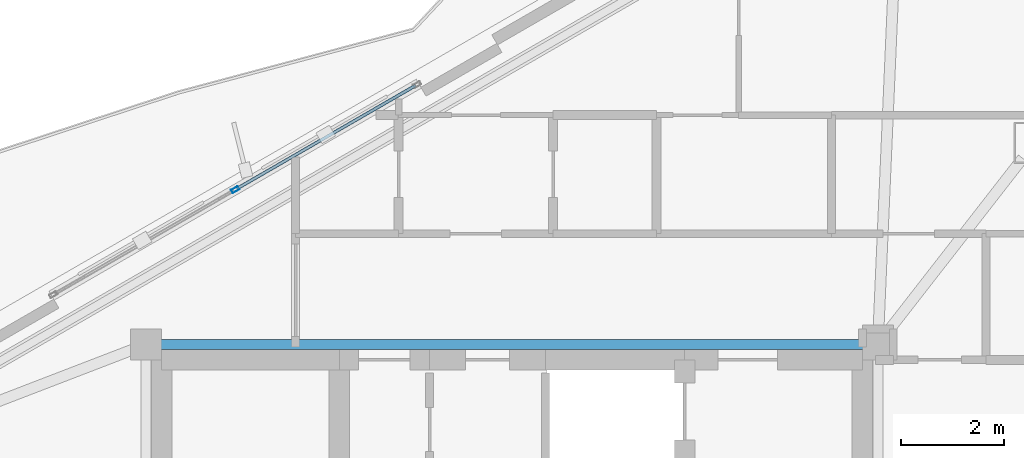
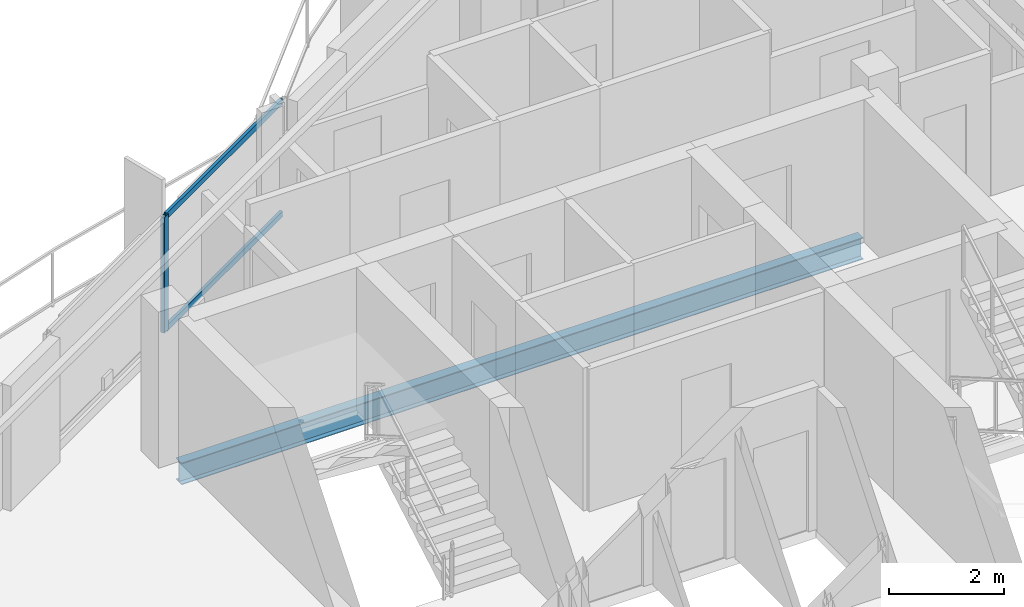
# One storey, part 10 of 18: 3 members, 1 beam, 1 element without a shape of its own.
"""IFC4 building model written with IfcOpenShell, lengths in metres."""

import ifcopenshell
import ifcopenshell.guid

model = None  # the IFC model being written
_history = None  # IfcOwnerHistory: only IFC2X3 demands one
_inside = {}  # id of a spatial element -> (the spatial element, [elements in it])
_under = {}  # id of a project, library or spatial element -> (it, [spatial elements below it])
_declared = {}  # id of a project -> (the project, [libraries it declares])
_typed = {}  # id of a type object -> (the type object, [elements of that type])
_made_of = {}  # id of a material, layer set ... -> (it, [elements and type objects made of it])


def new_model(schema):
    """Start an empty IFC model of exactly this schema.

    Asked for "IFC4X3", IfcOpenShell would pick the latest addendum, in which some entities
    have other attributes; the version numbers below select the first issue.
    IFC2X3 requires an IfcOwnerHistory on every rooted entity: one is made here for all.
    """
    global model, _history
    if schema == "IFC4X3":
        model = ifcopenshell.file(schema_version=(4, 3, 0, 0))
    else:
        model = ifcopenshell.file(schema=schema)
    _inside.clear()
    _under.clear()
    _declared.clear()
    _typed.clear()
    _made_of.clear()
    _history = None
    if model.schema == "IFC2X3":
        org = make("IfcOrganization", Name="unknown")
        user = make(
            "IfcPersonAndOrganization",
            ThePerson=make("IfcPerson", FamilyName="unknown"),
            TheOrganization=org,
        )
        app = make(
            "IfcApplication",
            ApplicationDeveloper=org,
            Version="unknown",
            ApplicationFullName="unknown",
            ApplicationIdentifier="unknown",
        )
        _history = make(
            "IfcOwnerHistory",
            OwningUser=user,
            OwningApplication=app,
            ChangeAction="ADDED",
            CreationDate=0,
        )
    return model


def make(cls, **values):
    """One entity of the class cls with the attributes given. An attribute that is None is left unset."""
    return model.create_entity(
        cls, **{name: value for name, value in values.items() if value is not None}
    )


def rooted(cls, **values):
    """An entity with a GlobalId (a new one), such as an element, a storey or a relation."""
    return make(cls, GlobalId=ifcopenshell.guid.new(), OwnerHistory=_history, **values)


def si_unit(unit_type, name, prefix=None):
    """IfcSIUnit, for example si_unit("LENGTHUNIT", "METRE", prefix="MILLI")."""
    return make("IfcSIUnit", UnitType=unit_type, Prefix=prefix, Name=name)


def assignment(units):
    """IfcUnitAssignment: the units of a project."""
    return None if units is None else make("IfcUnitAssignment", Units=units)


def point(xyz):
    """IfcCartesianPoint."""
    return None if xyz is None else make("IfcCartesianPoint", Coordinates=xyz)


def direction(xyz):
    """IfcDirection."""
    return None if xyz is None else make("IfcDirection", DirectionRatios=xyz)


def frame(location, z_axis=None, x_axis=None):
    """IfcAxis2Placement3D, a coordinate frame: its origin and axes. An axis left out is left unset."""
    return make(
        "IfcAxis2Placement3D",
        Location=point(location),
        Axis=direction(z_axis),
        RefDirection=direction(x_axis),
    )


def frame_2d(location, x_axis=None):
    """IfcAxis2Placement2D, a coordinate frame in the plane: its origin and x axis."""
    return make(
        "IfcAxis2Placement2D", Location=point(location), RefDirection=direction(x_axis)
    )


def origin():
    """The frame at (0, 0, 0) with its axes left unset."""
    return frame((0.0, 0.0, 0.0))


def origin_2d():
    """The frame at (0, 0) in the plane with its x axis left unset."""
    return frame_2d((0.0, 0.0))


def place(relative_to, where):
    """IfcLocalPlacement: puts the frame where relative to a parent placement (None: the world)."""
    return make(
        "IfcLocalPlacement", PlacementRelTo=relative_to, RelativePlacement=where
    )


def context(
    kind, dimensions, precision=None, world=None, true_north=None, identifier=None
):
    """IfcGeometricRepresentationContext, for example the 3D "Model" context."""
    return make(
        "IfcGeometricRepresentationContext",
        ContextIdentifier=identifier,
        ContextType=kind,
        CoordinateSpaceDimension=dimensions,
        Precision=precision,
        WorldCoordinateSystem=world,
        TrueNorth=true_north,
    )


def subcontext(parent, identifier, kind, view, scale=None):
    """IfcGeometricRepresentationSubContext, for example "Body" below "Model"."""
    return make(
        "IfcGeometricRepresentationSubContext",
        ContextIdentifier=identifier,
        ContextType=kind,
        ParentContext=parent,
        TargetScale=scale,
        TargetView=view,
    )


def project(units=None, contexts=None):
    """IfcProject with its units and contexts."""
    return rooted(
        "IfcProject",
        Name="project",
        RepresentationContexts=contexts,
        UnitsInContext=assignment(units),
    )


def spatial(cls, under=None, at=None, **own):
    """A site, building, storey or space (cls), placed at a placement, below another one or the project."""
    s = rooted(cls, ObjectPlacement=at, **own)
    if under is not None:
        _under.setdefault(under.id(), (under, []))[1].append(s)
    return s


def profile(cls, at=None, kind="AREA", **sizes):
    """A parametric profile (cls). Its sizes go by their IFC names, for example OverallWidth=200.0."""
    return make(cls, ProfileType=kind, Position=at, **sizes)


def hollow_rectangle(**sizes):
    """IfcRectangleHollowProfileDef."""
    return profile("IfcRectangleHollowProfileDef", **sizes)


def i_section(**sizes):
    """IfcIShapeProfileDef."""
    return profile("IfcIShapeProfileDef", **sizes)


def extrude(swept, where, along, depth):
    """IfcExtrudedAreaSolid: the profile swept, set in the frame where, extruded along a direction by depth."""
    return make(
        "IfcExtrudedAreaSolid",
        SweptArea=swept,
        Position=where,
        ExtrudedDirection=direction(along),
        Depth=depth,
    )


def shape(context_of_items, identifier, shape_type, items):
    """IfcShapeRepresentation: the items that make up one representation, for example the "Body"."""
    return make(
        "IfcShapeRepresentation",
        ContextOfItems=context_of_items,
        RepresentationIdentifier=identifier,
        RepresentationType=shape_type,
        Items=items,
    )


def material(Name=None, Category=None):
    """IfcMaterial."""
    return make("IfcMaterial", Name=Name, Category=Category)


def layer(
    of_material, thickness, ventilated=None, Name=None, Category=None, Priority=None
):
    """IfcMaterialLayer: one layer of a wall or slab, of a material (None: an air gap)."""
    return make(
        "IfcMaterialLayer",
        Material=of_material,
        LayerThickness=thickness,
        IsVentilated=ventilated,
        Name=Name,
        Category=Category,
        Priority=Priority,
    )


def layer_set(layers, Name=None):
    """IfcMaterialLayerSet."""
    return make("IfcMaterialLayerSet", MaterialLayers=layers, LayerSetName=Name)


def material_profile(
    of_material, cross_section, Name=None, Category=None, Priority=None
):
    """IfcMaterialProfile: a cross section and its material."""
    return make(
        "IfcMaterialProfile",
        Name=Name,
        Material=of_material,
        Profile=cross_section,
        Priority=Priority,
        Category=Category,
    )


def profile_set(profiles, Name=None, composite=None):
    """IfcMaterialProfileSet."""
    return make(
        "IfcMaterialProfileSet",
        Name=Name,
        MaterialProfiles=profiles,
        CompositeProfile=composite,
    )


def made_of(thing, what):
    """Note that an element or type object is made of a material, layer set ...; save() writes the relation."""
    if what is not None:
        _made_of.setdefault(what.id(), (what, []))[1].append(thing)
    return thing


def type_object(cls, material=None, **own):
    """A type object (cls), such as IfcWallType, which elements share."""
    return made_of(rooted(cls, **own), material)


def element(
    cls,
    number,
    at=None,
    inside=None,
    cuts=None,
    type_object=None,
    material=None,
    context=None,
    identifier="Body",
    shape_type=None,
    held_by="IfcProductDefinitionShape",
    body=None,
    shapes=None,
    **own,
):
    """One element of the class cls, such as IfcWall. Its Tag is "e" and its number.

    at: its placement. inside: the storey or other place that contains it. cuts: it is an
    opening in that element (IfcRelVoidsElement). A single representation is given by context,
    identifier, shape_type and body (its items); several are given by shapes. held_by: the class
    of the entity that holds the representations. save() writes the other relations.
    """
    e = rooted(cls, Tag="e%d" % number, ObjectPlacement=at, **own)
    if body is not None:
        shapes = [shape(context, identifier, shape_type, body)]
    if shapes is not None:
        e.Representation = make(held_by, Representations=shapes)
    if inside is not None:
        _inside.setdefault(inside.id(), (inside, []))[1].append(e)
    if cuts is not None:
        rooted(
            "IfcRelVoidsElement", RelatingBuildingElement=cuts, RelatedOpeningElement=e
        )
    if type_object is not None:
        _typed.setdefault(type_object.id(), (type_object, []))[1].append(e)
    return made_of(e, material)


def aggregate(whole, parts):
    """IfcRelAggregates: a whole, such as a stair, and the parts it consists of."""
    return rooted("IfcRelAggregates", RelatingObject=whole, RelatedObjects=parts)


def save(model, path):
    """Write the relations noted so far, then the file.

    IfcRelAggregates (storeys below a building ...), IfcRelContainedInSpatialStructure (elements
    in a storey), IfcRelDefinesByType, IfcRelAssociatesMaterial and IfcRelDeclares: one each for
    every whole, place, type object, material and project.
    """
    for whole, parts in _under.values():
        aggregate(whole, parts)
    for where, things in _inside.values():
        rooted(
            "IfcRelContainedInSpatialStructure",
            RelatedElements=things,
            RelatingStructure=where,
        )
    for kind, things in _typed.values():
        rooted("IfcRelDefinesByType", RelatedObjects=things, RelatingType=kind)
    for what, things in _made_of.values():
        rooted("IfcRelAssociatesMaterial", RelatedObjects=things, RelatingMaterial=what)
    for by, libraries in _declared.values():
        rooted("IfcRelDeclares", RelatingContext=by, RelatedDefinitions=libraries)
    model.write(path)


model = new_model("IFC4")

# Units and contexts
model_context = context("Model", 3, precision=1e-05, world=origin(), true_north=direction((0.0, 1.0)))
body_context = subcontext(model_context, "Body", "Model", "MODEL_VIEW")
ifc_project = project(units=[si_unit("LENGTHUNIT", "METRE"), si_unit("AREAUNIT", "SQUARE_METRE"), si_unit("VOLUMEUNIT", "CUBIC_METRE"), si_unit("PLANEANGLEUNIT", "RADIAN"), si_unit("MASSUNIT", "GRAM", prefix="KILO")], contexts=[model_context])

# Site, building, storey
site_placement = place(None, origin())
site = spatial("IfcSite", under=ifc_project, at=site_placement, CompositionType="ELEMENT")
building_placement = place(site_placement, origin())
building = spatial("IfcBuilding", under=site, at=building_placement, Name="Mersakhor Tower and Convention Hall", CompositionType="ELEMENT")
storey_placement = place(building_placement, frame((0.0, 0.0, 246.300048828125)))
storey = spatial("IfcBuildingStorey", under=building, at=storey_placement, Name="L69", CompositionType="ELEMENT", Elevation=246.300048828125)

# Beam
ifc_material_1 = material(Name="Steel S355", Category="steel")
ifc_material_profile_1 = material_profile(ifc_material_1, i_section(OverallWidth=0.19140625, OverallDepth=0.4599609375, WebThickness=0.010009765625, FlangeThickness=0.01611328125, at=origin_2d()), Name="UB 457x191x82")
ifc_profile_set_1 = profile_set([ifc_material_profile_1], Name="Steel S355")
beam_type = type_object("IfcBeamType", Name="BM-FB-457", PredefinedType="BEAM", material=ifc_profile_set_1)
beam_placement = place(storey_placement, frame((22.179931640625, 33.050048828125, -0.449951171875), z_axis=(1.0, 0.0, 0.0), x_axis=(0.0, 1.0, 0.0)))
element("IfcBeam", 1, at=beam_placement, inside=storey, type_object=beam_type, Name="L69 Core Ring Tie Beam CRB-2", PredefinedType="BEAM", context=body_context, shape_type="SweptSolid", body=[
    extrude(i_section(OverallWidth=0.19140625, OverallDepth=0.4599609375, WebThickness=0.010009765625, FlangeThickness=0.01611328125, at=origin_2d()), origin(), (0.0, 0.0, 1.0), 13.64013671875),
])

# Curtain wall, members
ifc_material_2 = material(Name="Dark solar low-E aluminium curtain wall", Category="aluminium")
ifc_layer = layer(ifc_material_2, 0.179931640625)
ifc_layer_set = layer_set([ifc_layer], Name="Dark solar low-E aluminium curtain wall")
curtain_wall_type = type_object("IfcCurtainWallType", Name="CW-SYS-03", PredefinedType="USERDEFINED", material=ifc_layer_set)
curtain_wall_placement = place(storey_placement, origin())
curtain_wall = element("IfcCurtainWall", 2, at=curtain_wall_placement, inside=storey, type_object=curtain_wall_type, Name="L69 Dark-Glass Curtain Wall F1-B2", ObjectType="CURTAIN WALL", PredefinedType="USERDEFINED")
ifc_material_3 = material(Name="Anodised aluminium EN AW-6063 T6", Category="aluminium")
ifc_material_profile_2 = material_profile(ifc_material_3, hollow_rectangle(XDim=0.074951171875, YDim=0.14990234375, WallThickness=0.00634765625, at=origin_2d()), Name="RHS 150x75x6.3")
ifc_profile_set_2 = profile_set([ifc_material_profile_2], Name="Anodised aluminium EN AW-6063 T6")
member_type_1 = type_object("IfcMemberType", Name="CWM-150x75", PredefinedType="MULLION", material=ifc_profile_set_2)
member_1_placement = place(storey_placement, frame((23.628662109375, 36.053466796875, 0.199951171875), z_axis=(0.0, 0.0, 1.0), x_axis=(-0.500004411169, 0.86602285698, 0.0)))
member_1 = element("IfcMember", 3, at=member_1_placement, type_object=member_type_1, Name="CW-03 mullion 2", PredefinedType="MULLION", context=body_context, shape_type="SweptSolid", body=[
    extrude(hollow_rectangle(XDim=0.074951171875, YDim=0.14990234375, WallThickness=0.00634765625, at=origin_2d()), origin(), (0.0, 0.0, 1.0), 2.43994140625),
])
ifc_material_4 = material(Name="Anodised aluminium EN AW-6063 T6", Category="aluminium")
ifc_material_profile_3 = material_profile(ifc_material_4, hollow_rectangle(XDim=0.06005859375, YDim=0.1201171875, WallThickness=0.0048828125, at=origin_2d()), Name="RHS 120x60x5")
ifc_profile_set_3 = profile_set([ifc_material_profile_3], Name="Anodised aluminium EN AW-6063 T6")
member_type_2 = type_object("IfcMemberType", Name="CWT-120x60", PredefinedType="USERDEFINED", material=ifc_profile_set_3)
member_2_placement = place(storey_placement, frame((23.6611328125, 36.072265625, 0.22998046875), z_axis=(0.866023018642, 0.500004131166, 0.0), x_axis=(-0.500004131166, 0.866023018642, 0.0)))
member_2 = element("IfcMember", 4, at=member_2_placement, type_object=member_type_2, Name="CW-03 transom 2.1", ObjectType="TRANSOM", PredefinedType="USERDEFINED", context=body_context, shape_type="SweptSolid", body=[
    extrude(hollow_rectangle(XDim=0.06005859375, YDim=0.1201171875, WallThickness=0.0048828125, at=origin_2d()), origin(), (0.0, 0.0, 1.0), 4.00146484375),
])
member_3_placement = place(storey_placement, frame((23.6611328125, 36.072265625, 2.60986328125), z_axis=(0.866023018642, 0.500004131166, 0.0), x_axis=(-0.500004131166, 0.866023018642, 0.0)))
member_3 = element("IfcMember", 5, at=member_3_placement, type_object=member_type_2, Name="CW-03 transom 2.2", ObjectType="TRANSOM", PredefinedType="USERDEFINED", context=body_context, shape_type="SweptSolid", body=[
    extrude(hollow_rectangle(XDim=0.06005859375, YDim=0.1201171875, WallThickness=0.0048828125, at=origin_2d()), origin(), (0.0, 0.0, 1.0), 4.00146484375),
])
aggregate(curtain_wall, [member_1, member_2, member_3])

save(model, "model.ifc")
